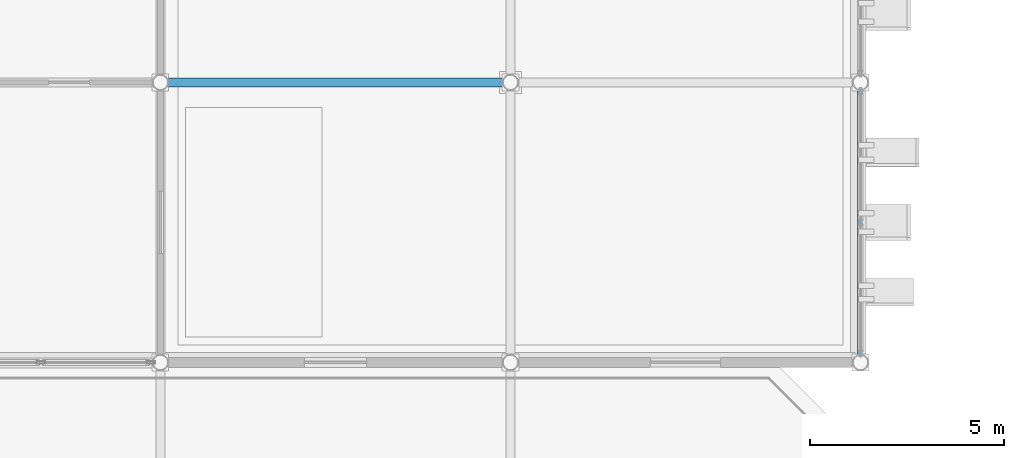
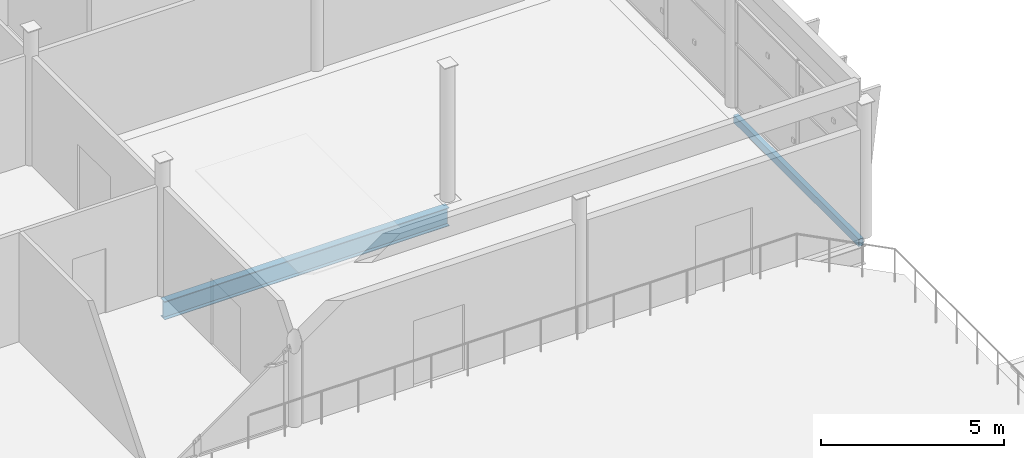
# One storey, part 20 of 52: 2 beams.
"""IFC4 building model written with IfcOpenShell, lengths in metres."""

from ifc_helpers import new_model, si_unit, direction, frame, origin, origin_2d, place, context, subcontext, project, spatial, hollow_rectangle, i_section, extrude, material, material_profile, profile_set, type_object, element, save


model = new_model("IFC4")

# Units and contexts
model_context = context("Model", 3, precision=1e-05, world=origin(), true_north=direction((0.0, 1.0)))
body_context = subcontext(model_context, "Body", "Model", "MODEL_VIEW")
ifc_project = project(units=[si_unit("LENGTHUNIT", "METRE"), si_unit("AREAUNIT", "SQUARE_METRE"), si_unit("VOLUMEUNIT", "CUBIC_METRE"), si_unit("PLANEANGLEUNIT", "RADIAN"), si_unit("MASSUNIT", "GRAM", prefix="KILO")], contexts=[model_context])

# Site, building, storey
site_placement = place(None, origin())
site = spatial("IfcSite", under=ifc_project, at=site_placement, CompositionType="ELEMENT")
building_placement = place(site_placement, origin())
building = spatial("IfcBuilding", under=site, at=building_placement, Name="Celestram Park Convention Centre", CompositionType="ELEMENT")
storey_placement = place(building_placement, frame((0.0, 0.0, 24.300048828125)))
storey = spatial("IfcBuildingStorey", under=building, at=storey_placement, Name="L05", CompositionType="ELEMENT", Elevation=24.300048828125)

# Beams
ifc_material_1 = material(Name="Steel ASTM A992 Grade 50", Category="steel")
ifc_material_profile_1 = material_profile(ifc_material_1, i_section(OverallWidth=0.22900390625, OverallDepth=0.612060546875, WebThickness=0.011962890625, FlangeThickness=0.01953125, at=origin_2d()), Name="W24X84")
ifc_profile_set_1 = profile_set([ifc_material_profile_1], Name="Steel ASTM A992 Grade 50")
beam_type_1 = type_object("IfcBeamType", Name="STR-BM-W24X84", PredefinedType="BEAM", material=ifc_profile_set_1)
beam_1_placement = place(storey_placement, frame((81.0048828125, 136.800048828125, -0.546142578125), z_axis=(1.0, 0.0, 0.0), x_axis=(0.0, 1.0, 0.0)))
element("IfcBeam", 1, at=beam_1_placement, inside=storey, type_object=beam_type_1, Name="Primary X-girder BG-L05-0079", PredefinedType="BEAM", context=body_context, shape_type="SweptSolid", body=[
    extrude(i_section(OverallWidth=0.22900390625, OverallDepth=0.612060546875, WebThickness=0.011962890625, FlangeThickness=0.01953125, at=origin_2d()), origin(), (0.0, 0.0, 1.0), 8.990234375),
])
ifc_material_2 = material(Name="Steel ASTM A500 Grade C", Category="steel")
ifc_material_profile_2 = material_profile(ifc_material_2, hollow_rectangle(XDim=0.14990234375, YDim=0.25, WallThickness=0.010009765625, at=origin_2d()), Name="HSS250X150X10")
ifc_profile_set_2 = profile_set([ifc_material_profile_2], Name="Steel ASTM A500 Grade C")
beam_type_2 = type_object("IfcBeamType", Name="STR-SPN-HSS250X150", PredefinedType="SPANDREL", material=ifc_profile_set_2)
beam_2_placement = place(storey_placement, frame((99.0, 129.77587890625, -0.364990234375), z_axis=(0.0, 1.0, 0.0), x_axis=(-1.0, 0.0, 0.0)))
element("IfcBeam", 2, at=beam_2_placement, inside=storey, type_object=beam_type_2, Name="Primary Y-girder BG-L05-0104", PredefinedType="SPANDREL", context=body_context, shape_type="SweptSolid", body=[
    extrude(hollow_rectangle(XDim=0.14990234375, YDim=0.25, WallThickness=0.010009765625, at=origin_2d()), origin(), (0.0, 0.0, 1.0), 6.84814453125),
])

save(model, "model.ifc")
